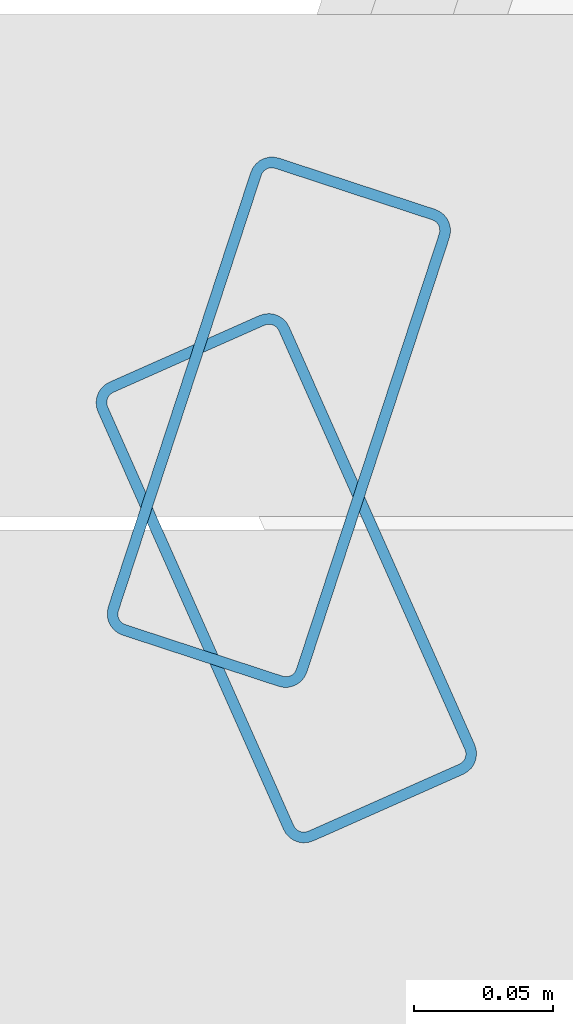
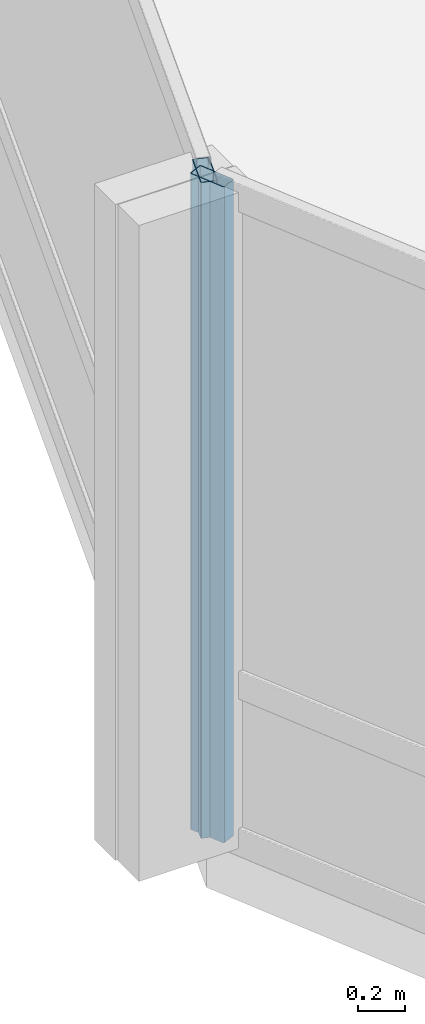
# One storey, part 6 of 28: 2 members, 2 elements without a shape of their own.
"""IFC4 building model written with IfcOpenShell, lengths in metres."""

from ifc_helpers import new_model, si_unit, direction, frame, origin, origin_2d, place, context, subcontext, project, spatial, hollow_rectangle, extrude, material, layer, layer_set, material_profile, profile_set, type_object, element, aggregate, save


model = new_model("IFC4")

# Units and contexts
model_context = context("Model", 3, precision=1e-05, world=origin(), true_north=direction((0.0, 1.0)))
body_context = subcontext(model_context, "Body", "Model", "MODEL_VIEW")
ifc_project = project(units=[si_unit("LENGTHUNIT", "METRE"), si_unit("AREAUNIT", "SQUARE_METRE"), si_unit("VOLUMEUNIT", "CUBIC_METRE"), si_unit("PLANEANGLEUNIT", "RADIAN"), si_unit("MASSUNIT", "GRAM", prefix="KILO")], contexts=[model_context])

# Site, building, storey
site_placement = place(None, origin())
site = spatial("IfcSite", under=ifc_project, at=site_placement, CompositionType="ELEMENT")
building_placement = place(site_placement, origin())
building = spatial("IfcBuilding", under=site, at=building_placement, Name="Solvaryn Broadcast Tower", CompositionType="ELEMENT")
storey_placement = place(building_placement, frame((0.0, 0.0, 110.0)))
storey = spatial("IfcBuildingStorey", under=building, at=storey_placement, Name="L26", CompositionType="ELEMENT", Elevation=110.0)

# Curtain wall, member
ifc_material_1 = material(Name="Aluminium and Terracotta Unitised Curtain Wall", Category="masonry")
ifc_layer = layer(ifc_material_1, 0.199951171875)
ifc_layer_set = layer_set([ifc_layer], Name="CW-SYS2-LOWMID")
curtain_wall_type = type_object("IfcCurtainWallType", Name="CW-SYS2-LOWMID", PredefinedType="NOTDEFINED", material=ifc_layer_set)
curtain_wall_1_placement = place(storey_placement, origin())
curtain_wall_1 = element("IfcCurtainWall", 1, at=curtain_wall_1_placement, inside=storey, type_object=curtain_wall_type, Name="L26 Curtain Wall DR1", PredefinedType="NOTDEFINED")
ifc_material_2 = material(Name="Anodised Aluminium 6063-T6", Category="aluminium")
ifc_material_profile = material_profile(ifc_material_2, hollow_rectangle(XDim=0.074951171875, YDim=0.179931640625, WallThickness=0.00390625, InnerFilletRadius=0.00390625, OuterFilletRadius=0.008056640625, at=origin_2d()))
ifc_profile_set = profile_set([ifc_material_profile], Name="Anodised Aluminium 6063-T6")
member_type = type_object("IfcMemberType", Name="CW-MUL-180", PredefinedType="MULLION", material=ifc_profile_set)
member_1_placement = place(storey_placement, frame((1.04345703125, 26.66455078125, 0.0), z_axis=(0.0, 0.0, 1.0), x_axis=(0.950198260794, -0.311646057547, 0.0)))
member_1 = element("IfcMember", 2, at=member_1_placement, type_object=member_type, Name="CWS2 mullion 2", PredefinedType="MULLION", context=body_context, shape_type="SweptSolid", body=[
    extrude(hollow_rectangle(XDim=0.074951171875, YDim=0.179931640625, WallThickness=0.00390625, InnerFilletRadius=0.00390625, OuterFilletRadius=0.008056640625, at=origin_2d()), origin(), (0.0, 0.0, 1.0), 3.419921875),
])
aggregate(curtain_wall_1, [member_1])

curtain_wall_2_placement = place(storey_placement, origin())
curtain_wall_2 = element("IfcCurtainWall", 3, at=curtain_wall_2_placement, inside=storey, type_object=curtain_wall_type, Name="L26 Curtain Wall DR2", PredefinedType="NOTDEFINED")
member_2_placement = place(storey_placement, frame((1.046142578125, 26.608642578125, 0.0), z_axis=(0.0, 0.0, 1.0), x_axis=(0.913909311008, 0.405918429309, 0.0)))
member_2 = element("IfcMember", 4, at=member_2_placement, type_object=member_type, Name="CWS2 mullion 1", PredefinedType="MULLION", context=body_context, shape_type="SweptSolid", body=[
    extrude(hollow_rectangle(XDim=0.074951171875, YDim=0.179931640625, WallThickness=0.00390625, InnerFilletRadius=0.00390625, OuterFilletRadius=0.008056640625, at=origin_2d()), origin(), (0.0, 0.0, 1.0), 3.419921875),
])
aggregate(curtain_wall_2, [member_2])

save(model, "model.ifc")
